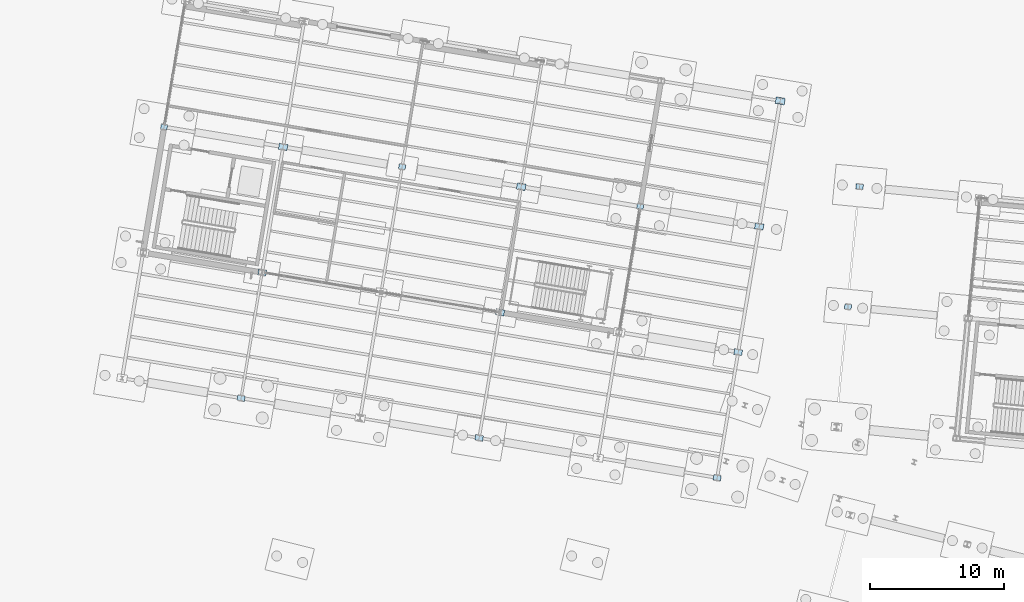
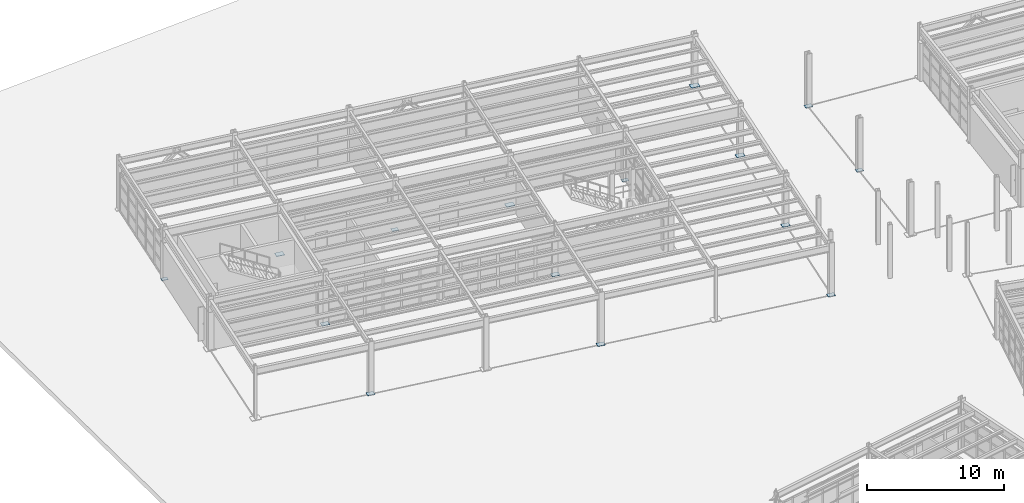
# One storey, part 77 of 108: 15 plates.
"""IFC4 building model written with IfcOpenShell, lengths in metres."""

from ifc_helpers import new_model, si_unit, direction, frame, origin, origin_2d, place, context, subcontext, project, spatial, rectangle, extrude, material, layer, layer_set, type_object, element, save


model = new_model("IFC4")

# Units and contexts
model_context = context("Model", 3, precision=1e-05, world=origin(), true_north=direction((0.0, 1.0)))
body_context = subcontext(model_context, "Body", "Model", "MODEL_VIEW")
ifc_project = project(units=[si_unit("LENGTHUNIT", "METRE"), si_unit("AREAUNIT", "SQUARE_METRE"), si_unit("VOLUMEUNIT", "CUBIC_METRE"), si_unit("PLANEANGLEUNIT", "RADIAN"), si_unit("MASSUNIT", "GRAM", prefix="KILO")], contexts=[model_context])

# Site, building, storey
site_placement = place(None, origin())
site = spatial("IfcSite", under=ifc_project, at=site_placement, CompositionType="ELEMENT")
building_placement = place(site_placement, origin())
building = spatial("IfcBuilding", under=site, at=building_placement, Name="Vireo Bluff Cable Station", CompositionType="ELEMENT")
storey_placement = place(building_placement, origin())
storey = spatial("IfcBuildingStorey", under=building, at=storey_placement, Name="L00", CompositionType="ELEMENT", Elevation=0.0)

# Plates
ifc_material = material(Name="Steel ASTM A572 Gr. 50", Category="steel")
ifc_layer_1 = layer(ifc_material, 0.02490234375, Name="Steel ASTM A572 Gr. 50")
ifc_layer_set_1 = layer_set([ifc_layer_1], Name="Steel ASTM A572 Gr. 50")
plate_type_1 = type_object("IfcPlateType", Name="BASEPLATE-480X340X25", PredefinedType="SHEET", material=ifc_layer_set_1)
for number, where, z_axis, x_axis, name in (
    (1, (8.635986328125, 90.239501953125, 0.0), (0.0, 0.0, 1.0), (0.986285601537, -0.165047605861, 0.0), "V4 column baseplate 160"),
    (2, (44.14208984375, 84.297607421875, 0.0), (0.0, 0.0, 1.0), (0.986285601537, -0.165047605861, 0.0), "V4 column baseplate 176"),
):
    element("IfcPlate", number, at=place(storey_placement, frame(where, z_axis=z_axis, x_axis=x_axis)), inside=storey, type_object=plate_type_1, Name=name, PredefinedType="SHEET", context=body_context, shape_type="SweptSolid", body=[
        extrude(rectangle(XDim=0.47998046875, YDim=0.340087890625, at=origin_2d()), origin(), (0.0, 0.0, 1.0), 0.02490234375),
    ])
ifc_layer_2 = layer(ifc_material, 0.02587890625, Name="Steel ASTM A572 Gr. 50")
ifc_layer_set_2 = layer_set([ifc_layer_2], Name="Steel ASTM A572 Gr. 50")
plate_type_2 = type_object("IfcPlateType", Name="BASEPLATE-500X360X26", PredefinedType="SHEET", material=ifc_layer_set_2)
for number, where, z_axis, x_axis, name in (
    (3, (59.64208984375, 76.824951171875, 0.0), (0.0, 0.0, 1.0), (0.995396198367, -0.09584575252, 0.0), "V3 column baseplate 120"),
    (4, (26.38916015625, 87.2685546875, 0.0), (0.0, 0.0, 1.0), (0.986285601537, -0.165047605861, 0.0), "V4 column baseplate 168"),
):
    element("IfcPlate", number, at=place(storey_placement, frame(where, z_axis=z_axis, x_axis=x_axis)), inside=storey, type_object=plate_type_2, Name=name, PredefinedType="SHEET", context=body_context, shape_type="SweptSolid", body=[
        extrude(rectangle(XDim=0.5, YDim=0.360107421875, at=origin_2d()), origin(), (0.0, 0.0, 1.0), 0.02587890625),
    ])
ifc_layer_3 = layer(ifc_material, 0.030029296875, Name="Steel ASTM A572 Gr. 50")
ifc_layer_set_3 = layer_set([ifc_layer_3], Name="Steel ASTM A572 Gr. 50")
plate_type_3 = type_object("IfcPlateType", Name="BASEPLATE-540X390X30", PredefinedType="SHEET", material=ifc_layer_set_3)
plate_1_placement = place(storey_placement, frame((60.504638671875, 85.78369140625, 0.0), z_axis=(0.0, 0.0, 1.0), x_axis=(0.995396198367, -0.09584575252, 0.0)))
element("IfcPlate", 5, at=plate_1_placement, inside=storey, type_object=plate_type_3, Name="V3 column baseplate 121", PredefinedType="SHEET", context=body_context, shape_type="SweptSolid", body=[
    extrude(rectangle(XDim=0.5400390625, YDim=0.389892578125, at=origin_2d()), origin(), (0.0, 0.0, 1.0), 0.030029296875),
])
ifc_layer_4 = layer(ifc_material, 0.031982421875, Name="Steel ASTM A572 Gr. 50")
ifc_layer_set_4 = layer_set([ifc_layer_4], Name="Steel ASTM A572 Gr. 50")
plate_type_4 = type_object("IfcPlateType", Name="BASEPLATE-560X400X32", PredefinedType="SHEET", material=ifc_layer_set_4)
for number, where, z_axis, x_axis, name in (
    (6, (14.37646484375, 70.0146484375, 0.0), (0.0, 0.0, 1.0), (0.986285601537, -0.165047605861, 0.0), "V4 column baseplate 162"),
    (7, (49.8828125, 64.07275390625, 0.0), (0.0, 0.0, 1.0), (0.986285601537, -0.165047605861, 0.0), "V4 column baseplate 178"),
):
    element("IfcPlate", number, at=place(storey_placement, frame(where, z_axis=z_axis, x_axis=x_axis)), inside=storey, type_object=plate_type_4, Name=name, PredefinedType="SHEET", context=body_context, shape_type="SweptSolid", body=[
        extrude(rectangle(XDim=0.56005859375, YDim=0.39990234375, at=origin_2d()), origin(), (0.0, 0.0, 1.0), 0.031982421875),
    ])
ifc_layer_5 = layer(ifc_material, 0.033935546875, Name="Steel ASTM A572 Gr. 50")
ifc_layer_set_5 = layer_set([ifc_layer_5], Name="Steel ASTM A572 Gr. 50")
plate_type_5 = type_object("IfcPlateType", Name="BASEPLATE-580X420X34", PredefinedType="SHEET", material=ifc_layer_set_5)
plate_2_placement = place(storey_placement, frame((32.129638671875, 67.043701171875, 0.0), z_axis=(0.0, 0.0, 1.0), x_axis=(0.986285601537, -0.165047605861, 0.0)))
element("IfcPlate", 8, at=plate_2_placement, inside=storey, type_object=plate_type_5, Name="V4 column baseplate 170", PredefinedType="SHEET", context=body_context, shape_type="SweptSolid", body=[
    extrude(rectangle(XDim=0.580078125, YDim=0.419921875, at=origin_2d()), origin(), (0.0, 0.0, 1.0), 0.033935546875),
])
ifc_layer_6 = layer(ifc_material, 0.035888671875, Name="Steel ASTM A572 Gr. 50")
ifc_layer_set_6 = layer_set([ifc_layer_6], Name="Steel ASTM A572 Gr. 50")
plate_type_6 = type_object("IfcPlateType", Name="BASEPLATE-600X440X36", PredefinedType="SHEET", material=ifc_layer_set_6)
for number, where, z_axis, x_axis, name in (
    (9, (15.944580078125, 79.38427734375, 0.0), (0.0, 0.0, 1.0), (0.986285601537, -0.165047605861, 0.0), "V4 column baseplate 163"),
    (10, (51.45068359375, 73.442626953125, 0.0), (0.0, 0.0, 1.0), (0.986285601537, -0.165047605861, 0.0), "V4 column baseplate 179"),
):
    element("IfcPlate", number, at=place(storey_placement, frame(where, z_axis=z_axis, x_axis=x_axis)), inside=storey, type_object=plate_type_6, Name=name, PredefinedType="SHEET", context=body_context, shape_type="SweptSolid", body=[
        extrude(rectangle(XDim=0.60009765625, YDim=0.43994140625, at=origin_2d()), origin(), (0.0, 0.0, 1.0), 0.035888671875),
    ])
ifc_layer_7 = layer(ifc_material, 0.0380859375, Name="Steel ASTM A572 Gr. 50")
ifc_layer_set_7 = layer_set([ifc_layer_7], Name="Steel ASTM A572 Gr. 50")
plate_type_7 = type_object("IfcPlateType", Name="BASEPLATE-620X450X38", PredefinedType="SHEET", material=ifc_layer_set_7)
plate_3_placement = place(storey_placement, frame((33.69775390625, 76.413330078125, 0.0), z_axis=(0.0, 0.0, 1.0), x_axis=(0.986285601537, -0.165047605861, 0.0)))
element("IfcPlate", 11, at=plate_3_placement, inside=storey, type_object=plate_type_7, Name="V4 column baseplate 171", PredefinedType="SHEET", context=body_context, shape_type="SweptSolid", body=[
    extrude(rectangle(XDim=0.6201171875, YDim=0.449951171875, at=origin_2d()), origin(), (0.0, 0.0, 1.0), 0.0380859375),
])
ifc_layer_8 = layer(ifc_material, 0.0400390625, Name="Steel ASTM A572 Gr. 50")
ifc_layer_set_8 = layer_set([ifc_layer_8], Name="Steel ASTM A572 Gr. 50")
plate_type_8 = type_object("IfcPlateType", Name="BASEPLATE-640X460X40", PredefinedType="SHEET", material=ifc_layer_set_8)
for number, where, z_axis, x_axis, name in (
    (12, (17.512451171875, 88.75390625, 0.0), (0.0, 0.0, 1.0), (0.986285601537, -0.165047605861, 0.0), "V4 column baseplate 164"),
    (13, (53.018798828125, 82.812255859375, 0.0), (0.0, 0.0, 1.0), (0.986285601537, -0.165047605861, 0.0), "V4 column baseplate 180"),
):
    element("IfcPlate", number, at=place(storey_placement, frame(where, z_axis=z_axis, x_axis=x_axis)), inside=storey, type_object=plate_type_8, Name=name, PredefinedType="SHEET", context=body_context, shape_type="SweptSolid", body=[
        extrude(rectangle(XDim=0.639892578125, YDim=0.4599609375, at=origin_2d()), origin(), (0.0, 0.0, 1.0), 0.0400390625),
    ])
ifc_layer_9 = layer(ifc_material, 0.041015625, Name="Steel ASTM A572 Gr. 50")
ifc_layer_set_9 = layer_set([ifc_layer_9], Name="Steel ASTM A572 Gr. 50")
plate_type_9 = type_object("IfcPlateType", Name="BASEPLATE-660X480X41", PredefinedType="SHEET", material=ifc_layer_set_9)
plate_4_placement = place(storey_placement, frame((35.265625, 85.783203125, 0.0), z_axis=(0.0, 0.0, 1.0), x_axis=(0.986285601537, -0.165047605861, 0.0)))
element("IfcPlate", 14, at=plate_4_placement, inside=storey, type_object=plate_type_9, Name="V4 column baseplate 172", PredefinedType="SHEET", context=body_context, shape_type="SweptSolid", body=[
    extrude(rectangle(XDim=0.659912109375, YDim=0.47998046875, at=origin_2d()), origin(), (0.0, 0.0, 1.0), 0.041015625),
])
ifc_layer_10 = layer(ifc_material, 0.0419921875, Name="Steel ASTM A572 Gr. 50")
ifc_layer_set_10 = layer_set([ifc_layer_10], Name="Steel ASTM A572 Gr. 50")
plate_type_10 = type_object("IfcPlateType", Name="BASEPLATE-680X500X42", PredefinedType="SHEET", material=ifc_layer_set_10)
plate_5_placement = place(storey_placement, frame((54.586669921875, 92.181884765625, 0.0), z_axis=(0.0, 0.0, 1.0), x_axis=(0.986285601537, -0.165047605861, 0.0)))
element("IfcPlate", 15, at=plate_5_placement, inside=storey, type_object=plate_type_10, Name="V4 column baseplate 181", PredefinedType="SHEET", context=body_context, shape_type="SweptSolid", body=[
    extrude(rectangle(XDim=0.679931640625, YDim=0.5, at=origin_2d()), origin(), (0.0, 0.0, 1.0), 0.0419921875),
])

save(model, "model.ifc")
